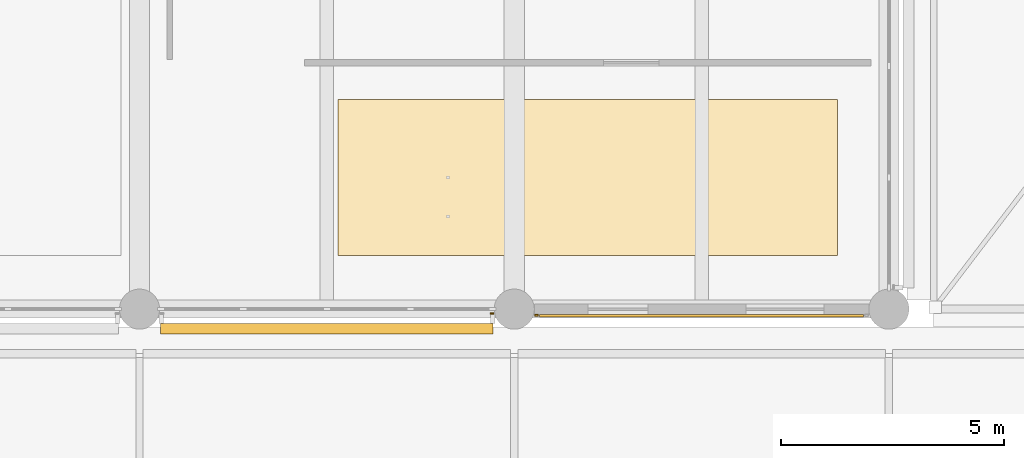
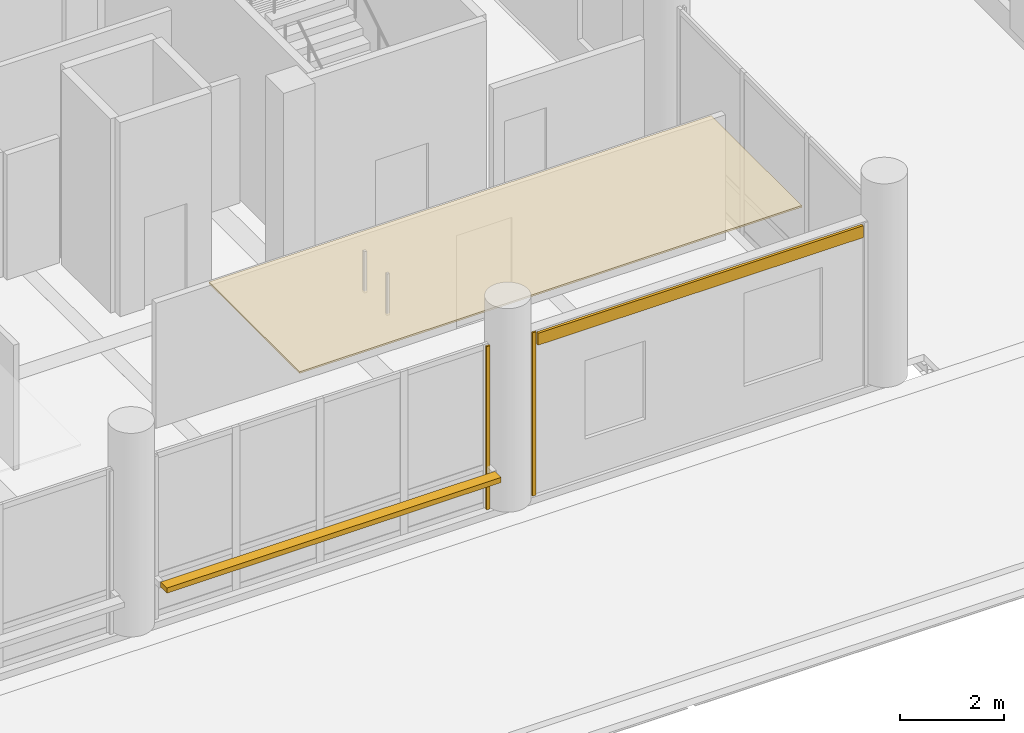
# One storey, part 86 of 128: 4 coverings, 1 shading device.
"""IFC4 building model written with IfcOpenShell, lengths in metres."""

from ifc_helpers import new_model, si_unit, direction, frame, origin, origin_2d, place, context, subcontext, project, spatial, polyline, rectangle, outline, extrude, material, layer, layer_set, type_object, element, save


model = new_model("IFC4")

# Units and contexts
model_context = context("Model", 3, precision=1e-05, world=origin(), true_north=direction((0.0, 1.0)))
body_context = subcontext(model_context, "Body", "Model", "MODEL_VIEW")
ifc_project = project(units=[si_unit("LENGTHUNIT", "METRE"), si_unit("AREAUNIT", "SQUARE_METRE"), si_unit("VOLUMEUNIT", "CUBIC_METRE"), si_unit("PLANEANGLEUNIT", "RADIAN"), si_unit("MASSUNIT", "GRAM", prefix="KILO")], contexts=[model_context])

# Site, building, storey
site_placement = place(None, origin())
site = spatial("IfcSite", under=ifc_project, at=site_placement, CompositionType="ELEMENT")
building_placement = place(site_placement, origin())
building = spatial("IfcBuilding", under=site, at=building_placement, Name="Telukmera Botanical Conservatory", CompositionType="ELEMENT")
storey_placement = place(building_placement, frame((0.0, 0.0, 5.39990234375)))
storey = spatial("IfcBuildingStorey", under=building, at=storey_placement, Name="L01", CompositionType="ELEMENT", Elevation=5.39990234375)

# Coverings
ifc_material_1 = material(Name="Perforated gypsum acoustic ceiling")
ifc_layer_1 = layer(ifc_material_1, 0.0400390625)
ifc_layer_set_1 = layer_set([ifc_layer_1], Name="Perforated gypsum acoustic ceiling")
covering_type_1 = type_object("IfcCoveringType", Name="COV-CEIL-40", PredefinedType="CEILING", material=ifc_layer_set_1)
covering_1_placement = place(storey_placement, frame((0.0, 0.0, 3.610107421875)))
element("IfcCovering", 1, at=covering_1_placement, inside=storey, type_object=covering_type_1, Name="L01 Botanical Illustration Studio Suspended Acoustic Ceiling", PredefinedType="CEILING", context=body_context, shape_type="SweptSolid", body=[
    extrude(outline(polyline([(29.64990234375, 18.800048828125), (40.85009765625, 18.800048828125), (40.85009765625, 22.300048828125), (29.64990234375, 22.300048828125), (29.64990234375, 18.800048828125)])), origin(), (0.0, 0.0, 1.0), 0.0400390625),
])
ifc_material_2 = material(Name="Granite-faced precast concrete C40/50", Category="masonry")
ifc_layer_2 = layer(ifc_material_2, 0.0400390625)
ifc_layer_set_2 = layer_set([ifc_layer_2], Name="Granite-faced precast concrete C40/50")
covering_type_2 = type_object("IfcCoveringType", Name="Granite Precast Column Pier Reveal Casing", PredefinedType="CLADDING", material=ifc_layer_set_2)
for number, where, z_axis, x_axis, name in (
    (2, (33.097900390625, 17.5, 0.0), (0.0, 0.0, 1.0), (1.0, 0.0, 0.0), "Granite Pier Reveal V3:L01:S3 R"),
    (3, (34.10205078125, 17.4599609375, 0.0), (0.0, 0.0, 1.0), (1.0, 0.0, 0.0), "Granite Pier Reveal V3:L01:S4 L"),
):
    element("IfcCovering", number, at=place(storey_placement, frame(where, z_axis=z_axis, x_axis=x_axis)), inside=storey, type_object=covering_type_2, Name=name, PredefinedType="CLADDING", context=body_context, shape_type="SweptSolid", body=[
        extrude(rectangle(XDim=0.080078125, YDim=0.0400390625, at=origin_2d()), origin(), (0.0, 0.0, 1.0), 3.85009765625),
    ])

# Shading device
ifc_material_3 = material(Name="Perforated terracotta-anodised aluminium 6063-T6", Category="masonry")
ifc_layer_3 = layer(ifc_material_3, 0.044921875)
ifc_layer_set_3 = layer_set([ifc_layer_3], Name="Perforated terracotta-anodised aluminium 6063-T6")
shading_device_type = type_object("IfcShadingDeviceType", Name="Perforated Terracotta Aluminium Monsoon Brise Soleil", PredefinedType="JALOUSIE", material=ifc_layer_set_3)
shading_device_placement = place(storey_placement, frame((29.39990234375, 17.159912109375, 0.89013671875), z_axis=(0.0, 0.0, 1.0), x_axis=(1.0, 0.0, 0.0)))
element("IfcShadingDevice", 4, at=shading_device_placement, inside=storey, type_object=shading_device_type, Name="Monsoon Shading BS01 V3:L01:S3", PredefinedType="JALOUSIE", context=body_context, shape_type="SweptSolid", body=[
    extrude(rectangle(XDim=7.4560546875, YDim=0.239990234375, at=origin_2d()), origin(), (0.0, 0.0, 1.0), 0.1201171875),
])

# Covering
ifc_material_4 = material(Name="Terracotta-faced precast concrete C40/50", Category="masonry")
ifc_layer_4 = layer(ifc_material_4, 0.06005859375)
ifc_layer_set_4 = layer_set([ifc_layer_4], Name="Terracotta-faced precast concrete C40/50")
covering_type_3 = type_object("IfcCoveringType", Name="Polychrome Terracotta Facade Band Cladding", PredefinedType="CLADDING", material=ifc_layer_set_4)
covering_2_placement = place(storey_placement, frame((37.800048828125, 17.449951171875, 3.5302734375), z_axis=(0.0, 0.0, 1.0), x_axis=(1.0, 0.0, 0.0)))
element("IfcCovering", 5, at=covering_2_placement, inside=storey, type_object=covering_type_3, Name="Polychrome Terracotta Band V3:L01:S4", PredefinedType="CLADDING", context=body_context, shape_type="SweptSolid", body=[
    extrude(rectangle(XDim=7.256103515625, YDim=0.06005859375, at=origin_2d()), origin(), (0.0, 0.0, 1.0), 0.280029296875),
])

save(model, "model.ifc")
